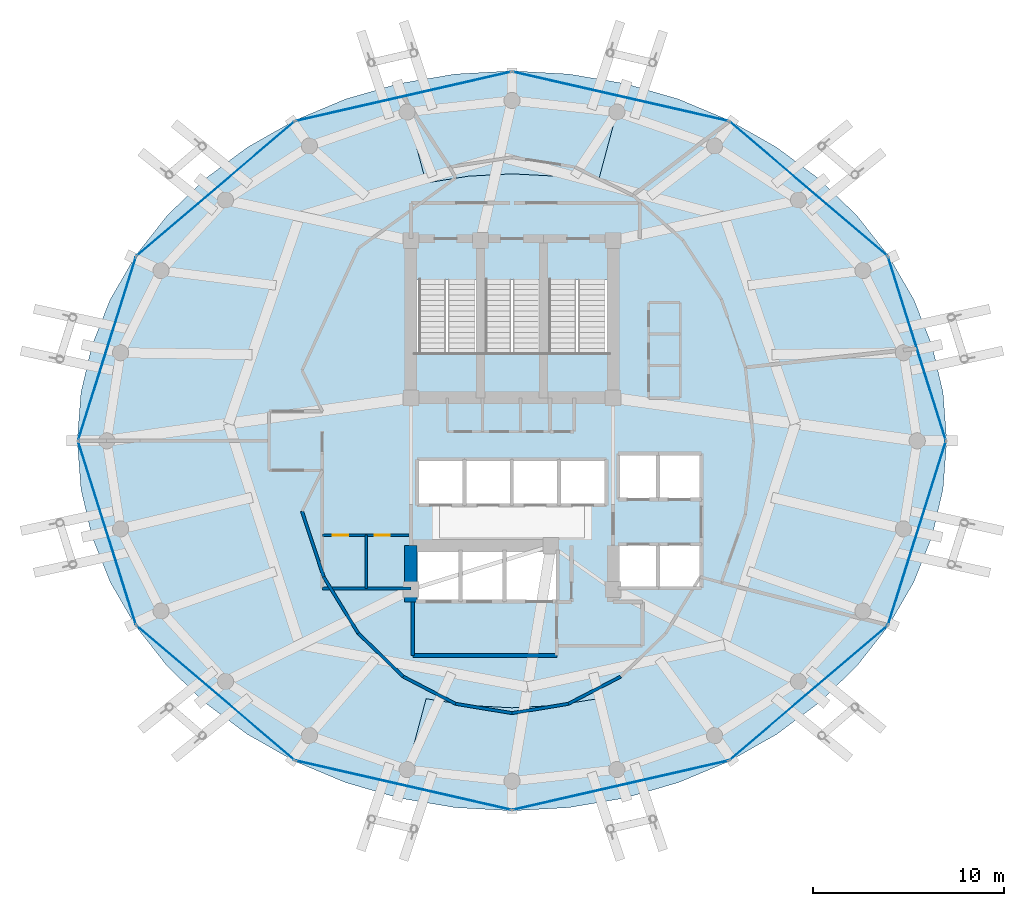
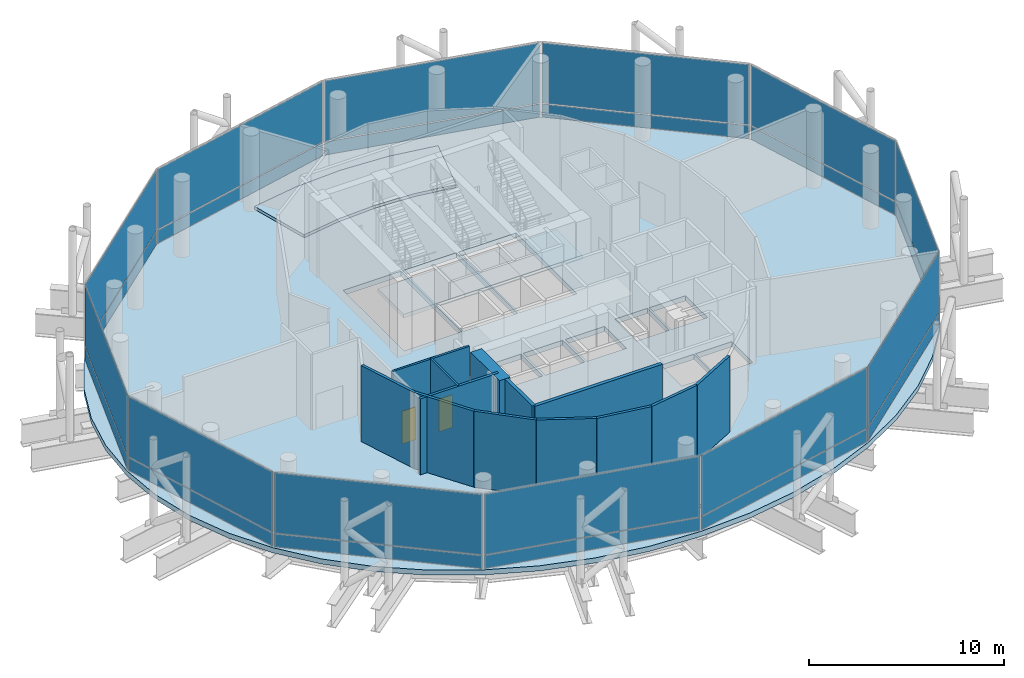
# One storey, part 23 of 31: 24 plates, 13 walls, 6 slabs, 2 doors, 2 openings, 15 elements without a shape of their own.
"""IFC4 building model written with IfcOpenShell, lengths in metres."""

from ifc_helpers import new_model, si_unit, direction, frame, frame_2d, origin, origin_2d, place, context, subcontext, project, spatial, polyline, rectangle, outline, extrude, material, layer, layer_set, type_object, element, fill, aggregate, save


model = new_model("IFC4")

# Units and contexts
model_context = context("Model", 3, precision=1e-05, world=origin(), true_north=direction((0.0, 1.0)))
body_context = subcontext(model_context, "Body", "Model", "MODEL_VIEW")
ifc_project = project(units=[si_unit("LENGTHUNIT", "METRE"), si_unit("AREAUNIT", "SQUARE_METRE"), si_unit("VOLUMEUNIT", "CUBIC_METRE"), si_unit("PLANEANGLEUNIT", "RADIAN"), si_unit("MASSUNIT", "GRAM", prefix="KILO")], contexts=[model_context])

# Site, building, storey
site_placement = place(None, origin())
site = spatial("IfcSite", under=ifc_project, at=site_placement, CompositionType="ELEMENT")
building_placement = place(site_placement, origin())
building = spatial("IfcBuilding", under=site, at=building_placement, Name="Nuhasar Tower", CompositionType="ELEMENT")
storey_placement = place(building_placement, frame((0.0, 0.0, 203.14990234375)))
storey = spatial("IfcBuildingStorey", under=building, at=storey_placement, Name="L49", CompositionType="ELEMENT", Elevation=203.14990234375)

# Curtain wall, plate
ifc_material_1 = material(Name="Aluminium 6063-T6", Category="aluminium")
ifc_layer_1 = layer(ifc_material_1, 0.239990234375)
ifc_layer_set_1 = layer_set([ifc_layer_1], Name="Aluminium 6063-T6")
curtain_wall_type = type_object("IfcCurtainWallType", Name="CW-SKY-LBY", PredefinedType="NOTDEFINED", material=ifc_layer_set_1)
curtain_wall_1_placement = place(storey_placement, origin())
curtain_wall_1 = element("IfcCurtainWall", 1, at=curtain_wall_1_placement, inside=storey, type_object=curtain_wall_type, Name="L49 Unitised Curtain Wall 01", PredefinedType="NOTDEFINED")
ifc_material_2 = material(Name="Glass Double Low-E", Category="glass")
ifc_layer_2 = layer(ifc_material_2, 0.028076171875)
ifc_layer_set_2 = layer_set([ifc_layer_2], Name="Glass Double Low-E")
plate_type_1 = type_object("IfcPlateType", Name="CW-PANEL-GLZ", PredefinedType="CURTAIN_PANEL", material=ifc_layer_set_2)
plate_1_placement = place(storey_placement, frame((60.235595703125, 31.639892578125, 0.93017578125), z_axis=(0.0, 0.0, 1.0), x_axis=(-0.30042864553, 0.95380429279, 0.0)))
plate_1 = element("IfcPlate", 2, at=plate_1_placement, type_object=plate_type_1, Name="CW-SL panel 1.2", PredefinedType="CURTAIN_PANEL", context=body_context, shape_type="SweptSolid", body=[
    extrude(rectangle(XDim=10.02880859375, YDim=0.028076171875, at=origin_2d()), origin(), (0.0, 0.0, 1.0), 3.77001953125),
])

curtain_wall_2_placement = place(storey_placement, origin())
curtain_wall_2 = element("IfcCurtainWall", 3, at=curtain_wall_2_placement, inside=storey, type_object=curtain_wall_type, Name="L49 Unitised Curtain Wall 02", PredefinedType="NOTDEFINED")
plate_2_placement = place(storey_placement, frame((54.54541015625, 40.02294921875, 0.93017578125), z_axis=(0.0, 0.0, 1.0), x_axis=(-0.761729472562, 0.64789521578, 0.0)))
plate_2 = element("IfcPlate", 4, at=plate_2_placement, type_object=plate_type_1, Name="CW-SL panel 1.2", PredefinedType="CURTAIN_PANEL", context=body_context, shape_type="SweptSolid", body=[
    extrude(rectangle(XDim=10.81689453125, YDim=0.028076171875, at=origin_2d()), origin(), (0.0, 0.0, 1.0), 3.77001953125),
])

curtain_wall_3_placement = place(storey_placement, origin())
curtain_wall_3 = element("IfcCurtainWall", 5, at=curtain_wall_3_placement, inside=storey, type_object=curtain_wall_type, Name="L49 Unitised Curtain Wall 03", PredefinedType="NOTDEFINED")
plate_3_placement = place(storey_placement, frame((44.68994140625, 44.863037109375, 0.93017578125), z_axis=(0.0, 0.0, 1.0), x_axis=(-0.974991266926, 0.222243176313, 0.0)))
plate_3 = element("IfcPlate", 6, at=plate_3_placement, type_object=plate_type_1, Name="CW-SL panel 1.2", PredefinedType="CURTAIN_PANEL", context=body_context, shape_type="SweptSolid", body=[
    extrude(rectangle(XDim=11.552001953125, YDim=0.028076171875, at=origin_2d()), origin(), (0.0, 0.0, 1.0), 3.77001953125),
])

curtain_wall_4_placement = place(storey_placement, origin())
curtain_wall_4 = element("IfcCurtainWall", 7, at=curtain_wall_4_placement, inside=storey, type_object=curtain_wall_type, Name="L49 Unitised Curtain Wall 04", PredefinedType="NOTDEFINED")
plate_4_placement = place(storey_placement, frame((33.31005859375, 44.863037109375, 0.93017578125), z_axis=(0.0, 0.0, 1.0), x_axis=(-0.974991266926, -0.222243176313, 0.0)))
plate_4 = element("IfcPlate", 8, at=plate_4_placement, type_object=plate_type_1, Name="CW-SL panel 1.2", PredefinedType="CURTAIN_PANEL", context=body_context, shape_type="SweptSolid", body=[
    extrude(rectangle(XDim=11.552001953125, YDim=0.028076171875, at=origin_2d()), origin(), (0.0, 0.0, 1.0), 3.77001953125),
])

curtain_wall_5_placement = place(storey_placement, origin())
curtain_wall_5 = element("IfcCurtainWall", 9, at=curtain_wall_5_placement, inside=storey, type_object=curtain_wall_type, Name="L49 Unitised Curtain Wall 05", PredefinedType="NOTDEFINED")
plate_5_placement = place(storey_placement, frame((23.45458984375, 40.02294921875, 0.93017578125), z_axis=(0.0, 0.0, 1.0), x_axis=(-0.761729472562, -0.64789521578, 0.0)))
plate_5 = element("IfcPlate", 10, at=plate_5_placement, type_object=plate_type_1, Name="CW-SL panel 1.2", PredefinedType="CURTAIN_PANEL", context=body_context, shape_type="SweptSolid", body=[
    extrude(rectangle(XDim=10.81689453125, YDim=0.028076171875, at=origin_2d()), origin(), (0.0, 0.0, 1.0), 3.77001953125),
])

curtain_wall_6_placement = place(storey_placement, origin())
curtain_wall_6 = element("IfcCurtainWall", 11, at=curtain_wall_6_placement, inside=storey, type_object=curtain_wall_type, Name="L49 Unitised Curtain Wall 06", PredefinedType="NOTDEFINED")
plate_6_placement = place(storey_placement, frame((17.764404296875, 31.639892578125, 0.93017578125), z_axis=(0.0, 0.0, 1.0), x_axis=(-0.30042864553, -0.95380429279, 0.0)))
plate_6 = element("IfcPlate", 12, at=plate_6_placement, type_object=plate_type_1, Name="CW-SL panel 1.2", PredefinedType="CURTAIN_PANEL", context=body_context, shape_type="SweptSolid", body=[
    extrude(rectangle(XDim=10.02880859375, YDim=0.028076171875, at=origin_2d()), origin(), (0.0, 0.0, 1.0), 3.77001953125),
])

curtain_wall_7_placement = place(storey_placement, origin())
curtain_wall_7 = element("IfcCurtainWall", 13, at=curtain_wall_7_placement, inside=storey, type_object=curtain_wall_type, Name="L49 Unitised Curtain Wall 07", PredefinedType="NOTDEFINED")
plate_7_placement = place(storey_placement, frame((17.764404296875, 21.9599609375, 0.93017578125), z_axis=(0.0, 0.0, 1.0), x_axis=(0.30042864553, -0.95380429279, 0.0)))
plate_7 = element("IfcPlate", 14, at=plate_7_placement, type_object=plate_type_1, Name="CW-SL panel 1.2", PredefinedType="CURTAIN_PANEL", context=body_context, shape_type="SweptSolid", body=[
    extrude(rectangle(XDim=10.02880859375, YDim=0.028076171875, at=origin_2d()), origin(), (0.0, 0.0, 1.0), 3.77001953125),
])

curtain_wall_8_placement = place(storey_placement, origin())
curtain_wall_8 = element("IfcCurtainWall", 15, at=curtain_wall_8_placement, inside=storey, type_object=curtain_wall_type, Name="L49 Unitised Curtain Wall 08", PredefinedType="NOTDEFINED")
plate_8_placement = place(storey_placement, frame((23.45458984375, 13.576904296875, 0.93017578125), z_axis=(0.0, 0.0, 1.0), x_axis=(0.761729472562, -0.64789521578, 0.0)))
plate_8 = element("IfcPlate", 16, at=plate_8_placement, type_object=plate_type_1, Name="CW-SL panel 1.2", PredefinedType="CURTAIN_PANEL", context=body_context, shape_type="SweptSolid", body=[
    extrude(rectangle(XDim=10.81689453125, YDim=0.028076171875, at=origin_2d()), origin(), (0.0, 0.0, 1.0), 3.77001953125),
])

curtain_wall_9_placement = place(storey_placement, origin())
curtain_wall_9 = element("IfcCurtainWall", 17, at=curtain_wall_9_placement, inside=storey, type_object=curtain_wall_type, Name="L49 Unitised Curtain Wall 09", PredefinedType="NOTDEFINED")
plate_9_placement = place(storey_placement, frame((33.31005859375, 8.737060546875, 0.93017578125), z_axis=(0.0, 0.0, 1.0), x_axis=(0.974991266926, -0.222243176313, 0.0)))
plate_9 = element("IfcPlate", 18, at=plate_9_placement, type_object=plate_type_1, Name="CW-SL panel 1.2", PredefinedType="CURTAIN_PANEL", context=body_context, shape_type="SweptSolid", body=[
    extrude(rectangle(XDim=11.552001953125, YDim=0.028076171875, at=origin_2d()), origin(), (0.0, 0.0, 1.0), 3.77001953125),
])

curtain_wall_10_placement = place(storey_placement, origin())
curtain_wall_10 = element("IfcCurtainWall", 19, at=curtain_wall_10_placement, inside=storey, type_object=curtain_wall_type, Name="L49 Unitised Curtain Wall 10", PredefinedType="NOTDEFINED")
plate_10_placement = place(storey_placement, frame((44.68994140625, 8.737060546875, 0.93017578125), z_axis=(0.0, 0.0, 1.0), x_axis=(0.974991266926, 0.222243176313, 0.0)))
plate_10 = element("IfcPlate", 20, at=plate_10_placement, type_object=plate_type_1, Name="CW-SL panel 1.2", PredefinedType="CURTAIN_PANEL", context=body_context, shape_type="SweptSolid", body=[
    extrude(rectangle(XDim=11.552001953125, YDim=0.028076171875, at=origin_2d()), origin(), (0.0, 0.0, 1.0), 3.77001953125),
])

curtain_wall_11_placement = place(storey_placement, origin())
curtain_wall_11 = element("IfcCurtainWall", 21, at=curtain_wall_11_placement, inside=storey, type_object=curtain_wall_type, Name="L49 Unitised Curtain Wall 11", PredefinedType="NOTDEFINED")
plate_11_placement = place(storey_placement, frame((54.54541015625, 13.576904296875, 0.93017578125), z_axis=(0.0, 0.0, 1.0), x_axis=(0.761729472562, 0.64789521578, 0.0)))
plate_11 = element("IfcPlate", 22, at=plate_11_placement, type_object=plate_type_1, Name="CW-SL panel 1.2", PredefinedType="CURTAIN_PANEL", context=body_context, shape_type="SweptSolid", body=[
    extrude(rectangle(XDim=10.81689453125, YDim=0.028076171875, at=origin_2d()), origin(), (0.0, 0.0, 1.0), 3.77001953125),
])

curtain_wall_12_placement = place(storey_placement, origin())
curtain_wall_12 = element("IfcCurtainWall", 23, at=curtain_wall_12_placement, inside=storey, type_object=curtain_wall_type, Name="L49 Unitised Curtain Wall 12", PredefinedType="NOTDEFINED")
plate_12_placement = place(storey_placement, frame((60.235595703125, 21.9599609375, 0.93017578125), z_axis=(0.0, 0.0, 1.0), x_axis=(0.30042864553, 0.95380429279, 0.0)))
plate_12 = element("IfcPlate", 24, at=plate_12_placement, type_object=plate_type_1, Name="CW-SL panel 1.2", PredefinedType="CURTAIN_PANEL", context=body_context, shape_type="SweptSolid", body=[
    extrude(rectangle(XDim=10.02880859375, YDim=0.028076171875, at=origin_2d()), origin(), (0.0, 0.0, 1.0), 3.77001953125),
])

# Plate
ifc_material_3 = material(Name="Glass Spandrel", Category="glass")
ifc_layer_3 = layer(ifc_material_3, 0.035888671875)
ifc_layer_set_3 = layer_set([ifc_layer_3], Name="Glass Spandrel")
plate_type_2 = type_object("IfcPlateType", Name="CW-PANEL-SPN", PredefinedType="CURTAIN_PANEL", material=ifc_layer_set_3)
plate_13_placement = place(storey_placement, frame((60.235595703125, 31.639892578125, 0.06005859375), z_axis=(0.0, 0.0, 1.0), x_axis=(-0.30042864553, 0.95380429279, 0.0)))
plate_13 = element("IfcPlate", 25, at=plate_13_placement, type_object=plate_type_2, Name="CW-SL panel 1.1", PredefinedType="CURTAIN_PANEL", context=body_context, shape_type="SweptSolid", body=[
    extrude(rectangle(XDim=10.02880859375, YDim=0.035888671875, at=origin_2d()), origin(), (0.0, 0.0, 1.0), 0.81005859375),
])

aggregate(curtain_wall_1, [plate_13, plate_1])

plate_14_placement = place(storey_placement, frame((54.54541015625, 40.02294921875, 0.06005859375), z_axis=(0.0, 0.0, 1.0), x_axis=(-0.761729472562, 0.64789521578, 0.0)))
plate_14 = element("IfcPlate", 26, at=plate_14_placement, type_object=plate_type_2, Name="CW-SL panel 1.1", PredefinedType="CURTAIN_PANEL", context=body_context, shape_type="SweptSolid", body=[
    extrude(rectangle(XDim=10.81689453125, YDim=0.035888671875, at=origin_2d()), origin(), (0.0, 0.0, 1.0), 0.81005859375),
])

aggregate(curtain_wall_2, [plate_14, plate_2])

plate_15_placement = place(storey_placement, frame((44.68994140625, 44.863037109375, 0.06005859375), z_axis=(0.0, 0.0, 1.0), x_axis=(-0.974991266926, 0.222243176313, 0.0)))
plate_15 = element("IfcPlate", 27, at=plate_15_placement, type_object=plate_type_2, Name="CW-SL panel 1.1", PredefinedType="CURTAIN_PANEL", context=body_context, shape_type="SweptSolid", body=[
    extrude(rectangle(XDim=11.552001953125, YDim=0.035888671875, at=origin_2d()), origin(), (0.0, 0.0, 1.0), 0.81005859375),
])

aggregate(curtain_wall_3, [plate_15, plate_3])

plate_16_placement = place(storey_placement, frame((33.31005859375, 44.863037109375, 0.06005859375), z_axis=(0.0, 0.0, 1.0), x_axis=(-0.974991266926, -0.222243176313, 0.0)))
plate_16 = element("IfcPlate", 28, at=plate_16_placement, type_object=plate_type_2, Name="CW-SL panel 1.1", PredefinedType="CURTAIN_PANEL", context=body_context, shape_type="SweptSolid", body=[
    extrude(rectangle(XDim=11.552001953125, YDim=0.035888671875, at=origin_2d()), origin(), (0.0, 0.0, 1.0), 0.81005859375),
])

aggregate(curtain_wall_4, [plate_16, plate_4])

plate_17_placement = place(storey_placement, frame((23.45458984375, 40.02294921875, 0.06005859375), z_axis=(0.0, 0.0, 1.0), x_axis=(-0.761729472562, -0.64789521578, 0.0)))
plate_17 = element("IfcPlate", 29, at=plate_17_placement, type_object=plate_type_2, Name="CW-SL panel 1.1", PredefinedType="CURTAIN_PANEL", context=body_context, shape_type="SweptSolid", body=[
    extrude(rectangle(XDim=10.81689453125, YDim=0.035888671875, at=origin_2d()), origin(), (0.0, 0.0, 1.0), 0.81005859375),
])

aggregate(curtain_wall_5, [plate_17, plate_5])

plate_18_placement = place(storey_placement, frame((17.764404296875, 31.639892578125, 0.06005859375), z_axis=(0.0, 0.0, 1.0), x_axis=(-0.30042864553, -0.95380429279, 0.0)))
plate_18 = element("IfcPlate", 30, at=plate_18_placement, type_object=plate_type_2, Name="CW-SL panel 1.1", PredefinedType="CURTAIN_PANEL", context=body_context, shape_type="SweptSolid", body=[
    extrude(rectangle(XDim=10.02880859375, YDim=0.035888671875, at=origin_2d()), origin(), (0.0, 0.0, 1.0), 0.81005859375),
])

aggregate(curtain_wall_6, [plate_18, plate_6])

plate_19_placement = place(storey_placement, frame((17.764404296875, 21.9599609375, 0.06005859375), z_axis=(0.0, 0.0, 1.0), x_axis=(0.30042864553, -0.95380429279, 0.0)))
plate_19 = element("IfcPlate", 31, at=plate_19_placement, type_object=plate_type_2, Name="CW-SL panel 1.1", PredefinedType="CURTAIN_PANEL", context=body_context, shape_type="SweptSolid", body=[
    extrude(rectangle(XDim=10.02880859375, YDim=0.035888671875, at=origin_2d()), origin(), (0.0, 0.0, 1.0), 0.81005859375),
])

aggregate(curtain_wall_7, [plate_19, plate_7])

plate_20_placement = place(storey_placement, frame((23.45458984375, 13.576904296875, 0.06005859375), z_axis=(0.0, 0.0, 1.0), x_axis=(0.761729472562, -0.64789521578, 0.0)))
plate_20 = element("IfcPlate", 32, at=plate_20_placement, type_object=plate_type_2, Name="CW-SL panel 1.1", PredefinedType="CURTAIN_PANEL", context=body_context, shape_type="SweptSolid", body=[
    extrude(rectangle(XDim=10.81689453125, YDim=0.035888671875, at=origin_2d()), origin(), (0.0, 0.0, 1.0), 0.81005859375),
])

aggregate(curtain_wall_8, [plate_20, plate_8])

plate_21_placement = place(storey_placement, frame((33.31005859375, 8.737060546875, 0.06005859375), z_axis=(0.0, 0.0, 1.0), x_axis=(0.974991266926, -0.222243176313, 0.0)))
plate_21 = element("IfcPlate", 33, at=plate_21_placement, type_object=plate_type_2, Name="CW-SL panel 1.1", PredefinedType="CURTAIN_PANEL", context=body_context, shape_type="SweptSolid", body=[
    extrude(rectangle(XDim=11.552001953125, YDim=0.035888671875, at=origin_2d()), origin(), (0.0, 0.0, 1.0), 0.81005859375),
])

aggregate(curtain_wall_9, [plate_21, plate_9])

plate_22_placement = place(storey_placement, frame((44.68994140625, 8.737060546875, 0.06005859375), z_axis=(0.0, 0.0, 1.0), x_axis=(0.974991266926, 0.222243176313, 0.0)))
plate_22 = element("IfcPlate", 34, at=plate_22_placement, type_object=plate_type_2, Name="CW-SL panel 1.1", PredefinedType="CURTAIN_PANEL", context=body_context, shape_type="SweptSolid", body=[
    extrude(rectangle(XDim=11.552001953125, YDim=0.035888671875, at=origin_2d()), origin(), (0.0, 0.0, 1.0), 0.81005859375),
])

aggregate(curtain_wall_10, [plate_22, plate_10])

plate_23_placement = place(storey_placement, frame((54.54541015625, 13.576904296875, 0.06005859375), z_axis=(0.0, 0.0, 1.0), x_axis=(0.761729472562, 0.64789521578, 0.0)))
plate_23 = element("IfcPlate", 35, at=plate_23_placement, type_object=plate_type_2, Name="CW-SL panel 1.1", PredefinedType="CURTAIN_PANEL", context=body_context, shape_type="SweptSolid", body=[
    extrude(rectangle(XDim=10.81689453125, YDim=0.035888671875, at=origin_2d()), origin(), (0.0, 0.0, 1.0), 0.81005859375),
])

aggregate(curtain_wall_11, [plate_23, plate_11])

plate_24_placement = place(storey_placement, frame((60.235595703125, 21.9599609375, 0.06005859375), z_axis=(0.0, 0.0, 1.0), x_axis=(0.30042864553, 0.95380429279, 0.0)))
plate_24 = element("IfcPlate", 36, at=plate_24_placement, type_object=plate_type_2, Name="CW-SL panel 1.1", PredefinedType="CURTAIN_PANEL", context=body_context, shape_type="SweptSolid", body=[
    extrude(rectangle(XDim=10.02880859375, YDim=0.035888671875, at=origin_2d()), origin(), (0.0, 0.0, 1.0), 0.81005859375),
])

aggregate(curtain_wall_12, [plate_24, plate_12])

# Slabs
ifc_material_4 = material(Name="Concrete C50/60", Category="concrete")
ifc_layer_4 = layer(ifc_material_4, 0.199951171875)
ifc_layer_set_4 = layer_set([ifc_layer_4], Name="Concrete C50/60")
slab_type_1 = type_object("IfcSlabType", Name="SLB-PLN-200", PredefinedType="BASESLAB", material=ifc_layer_set_4)
slab_1_placement = place(storey_placement, origin())
element("IfcSlab", 37, at=slab_1_placement, inside=storey, type_object=slab_type_1, Name="L49 Viewing Feature Dais Slab North", PredefinedType="BASESLAB", context=body_context, shape_type="SweptSolid", body=[
    extrude(outline(polyline([(44.43505859375, 43.800048828125), (41.740966796875, 44.2490234375), (39.0, 44.39990234375), (36.259033203125, 44.2490234375), (33.56494140625, 43.800048828125), (34.4970703125, 40.322998046875), (36.72900390625, 40.679931640625), (39.0, 40.800048828125), (41.27099609375, 40.679931640625), (43.5029296875, 40.322998046875), (44.43505859375, 43.800048828125)])), origin(), (0.0, 0.0, 1.0), 0.18017578125),
])
slab_2_placement = place(storey_placement, origin())
element("IfcSlab", 38, at=slab_2_placement, inside=storey, type_object=slab_type_1, Name="L49 Viewing Feature Dais Slab South", PredefinedType="BASESLAB", context=body_context, shape_type="SweptSolid", body=[
    extrude(outline(polyline([(33.56494140625, 9.800048828125), (36.259033203125, 9.35107421875), (39.0, 9.199951171875), (41.740966796875, 9.35107421875), (44.43505859375, 9.800048828125), (43.5029296875, 13.277099609375), (41.27099609375, 12.919921875), (39.0, 12.800048828125), (36.72900390625, 12.919921875), (34.4970703125, 13.277099609375), (33.56494140625, 9.800048828125)])), origin(), (0.0, 0.0, 1.0), 0.18017578125),
])
ifc_layer_5 = layer(ifc_material_4, 0.320068359375)
ifc_layer_set_5 = layer_set([ifc_layer_5], Name="Concrete C50/60")
slab_type_2 = type_object("IfcSlabType", Name="SLB-POD-320", PredefinedType="FLOOR", material=ifc_layer_set_5)
slab_3_placement = place(storey_placement, frame((0.0, 0.0, -0.31982421875)))
element("IfcSlab", 39, at=slab_3_placement, inside=storey, type_object=slab_type_2, Name="L49 Structural Slab", PredefinedType="FLOOR", context=body_context, shape_type="SweptSolid", body=[
    extrude(outline(polyline([(61.800048828125, 26.800048828125), (61.60498046875, 29.33203125), (61.02294921875, 31.821044921875), (60.06396484375, 34.22412109375), (58.7451171875, 36.5), (57.087890625, 38.610107421875), (55.1220703125, 40.51806640625), (52.8798828125, 42.19091796875), (50.39990234375, 43.60107421875), (47.72509765625, 44.722900390625), (44.90087890625, 45.5390625), (41.97607421875, 46.033935546875), (39.0, 46.199951171875), (36.02392578125, 46.033935546875), (33.09912109375, 45.5390625), (30.27490234375, 44.722900390625), (27.60009765625, 43.60107421875), (25.1201171875, 42.19091796875), (22.8779296875, 40.51806640625), (20.912109375, 38.610107421875), (19.2548828125, 36.5), (17.93603515625, 34.22412109375), (16.97705078125, 31.821044921875), (16.39501953125, 29.33203125), (16.199951171875, 26.800048828125), (16.39501953125, 24.26806640625), (16.97705078125, 21.779052734375), (17.93603515625, 19.3759765625), (19.2548828125, 17.10009765625), (20.912109375, 14.989990234375), (22.8779296875, 13.08203125), (25.1201171875, 11.408935546875), (27.60009765625, 9.9990234375), (30.27490234375, 8.876953125), (33.09912109375, 8.06103515625), (36.02392578125, 7.56591796875), (39.0, 7.39990234375), (41.97607421875, 7.56591796875), (44.90087890625, 8.06103515625), (47.72509765625, 8.876953125), (50.39990234375, 9.9990234375), (52.8798828125, 11.408935546875), (55.1220703125, 13.08203125), (57.087890625, 14.989990234375), (58.7451171875, 17.10009765625), (60.06396484375, 19.3759765625), (61.02294921875, 21.779052734375), (61.60498046875, 24.26806640625), (61.800048828125, 26.800048828125)]), holes=[polyline([(33.8798828125, 35.25), (37.300048828125, 35.25), (37.300048828125, 29.0), (33.8798828125, 29.0), (33.8798828125, 35.25)]), polyline([(37.39990234375, 35.25), (40.60009765625, 35.25), (40.60009765625, 29.0), (37.39990234375, 29.0), (37.39990234375, 35.25)]), polyline([(40.699951171875, 35.25), (44.1201171875, 35.25), (44.1201171875, 29.0), (40.699951171875, 29.0), (40.699951171875, 35.25)]), polyline([(44.64990234375, 26.050048828125), (46.60009765625, 26.050048828125), (46.60009765625, 23.800048828125), (44.64990234375, 23.800048828125), (44.64990234375, 26.050048828125)]), polyline([(46.699951171875, 26.050048828125), (48.85009765625, 26.050048828125), (48.85009765625, 23.800048828125), (46.699951171875, 23.800048828125), (46.699951171875, 26.050048828125)]), polyline([(44.64990234375, 21.300048828125), (46.60009765625, 21.300048828125), (46.60009765625, 19.14990234375), (44.64990234375, 19.14990234375), (44.64990234375, 21.300048828125)]), polyline([(46.699951171875, 21.300048828125), (48.85009765625, 21.300048828125), (48.85009765625, 19.14990234375), (46.699951171875, 19.14990234375), (46.699951171875, 21.300048828125)]), polyline([(34.10009765625, 25.75), (36.43994140625, 25.75), (36.43994140625, 23.5), (34.10009765625, 23.5), (34.10009765625, 25.75)]), polyline([(36.580078125, 25.75), (38.919921875, 25.75), (38.919921875, 23.5), (36.580078125, 23.5), (36.580078125, 25.75)]), polyline([(39.06005859375, 25.75), (41.39990234375, 25.75), (41.39990234375, 23.5), (39.06005859375, 23.5), (39.06005859375, 25.75)]), polyline([(41.5400390625, 25.75), (43.8798828125, 25.75), (43.8798828125, 23.5), (41.5400390625, 23.5), (41.5400390625, 25.75)]), polyline([(34.050048828125, 21.0), (36.25, 21.0), (36.25, 18.449951171875), (34.050048828125, 18.449951171875), (34.050048828125, 21.0)]), polyline([(36.35009765625, 21.0), (38.550048828125, 21.0), (38.550048828125, 18.449951171875), (36.35009765625, 18.449951171875), (36.35009765625, 21.0)]), polyline([(38.64990234375, 21.0), (41.320068359375, 21.0), (41.320068359375, 18.449951171875), (38.64990234375, 18.449951171875), (38.64990234375, 21.0)])]), origin(), (0.0, 0.0, 1.0), 0.31982421875),
])

# Stair, slab
ifc_material_5 = material(Name="Concrete C45/55", Category="concrete")
stair_type_1 = type_object("IfcStairType", Name="STR-ST-01-2F-30R-1667", PredefinedType="HALF_TURN_STAIR", material=ifc_material_5)
stair_1_placement = place(storey_placement, origin())
stair_1 = element("IfcStair", 40, at=stair_1_placement, inside=storey, type_object=stair_type_1, Name="L49 Exit Stair ST-01", PredefinedType="HALF_TURN_STAIR")
ifc_layer_6 = layer(ifc_material_5, 0.239990234375)
ifc_layer_set_6 = layer_set([ifc_layer_6], Name="Concrete C45/55")
slab_type_3 = type_object("IfcSlabType", Name="SLB-STAIR-LND-240", PredefinedType="LANDING", material=ifc_layer_set_6)
slab_4_placement = place(storey_placement, frame((0.0, 0.0, 2.260009765625)))
slab_4 = element("IfcSlab", 41, at=slab_4_placement, type_object=slab_type_3, Name="ST-01 landing 1", PredefinedType="LANDING", context=body_context, shape_type="SweptSolid", body=[
    extrude(outline(polyline([(33.699951171875, 28.75), (37.35009765625, 28.75), (37.35009765625, 31.39990234375), (33.699951171875, 31.39990234375), (33.699951171875, 28.75)])), origin(), (0.0, 0.0, 1.0), 0.239990234375),
])
aggregate(stair_1, [slab_4])

stair_type_2 = type_object("IfcStairType", Name="STR-ST-03-2F-30R-1667", PredefinedType="HALF_TURN_STAIR", material=ifc_material_5)
stair_2_placement = place(storey_placement, origin())
stair_2 = element("IfcStair", 42, at=stair_2_placement, inside=storey, type_object=stair_type_2, Name="L49 Exit Stair ST-03", PredefinedType="HALF_TURN_STAIR")
slab_5_placement = place(storey_placement, frame((0.0, 0.0, 2.260009765625)))
slab_5 = element("IfcSlab", 43, at=slab_5_placement, type_object=slab_type_3, Name="ST-03 landing 1", PredefinedType="LANDING", context=body_context, shape_type="SweptSolid", body=[
    extrude(outline(polyline([(37.35009765625, 28.75), (40.64990234375, 28.75), (40.64990234375, 31.39990234375), (37.35009765625, 31.39990234375), (37.35009765625, 28.75)])), origin(), (0.0, 0.0, 1.0), 0.239990234375),
])
aggregate(stair_2, [slab_5])

stair_type_3 = type_object("IfcStairType", Name="STR-ST-02-2F-30R-1667", PredefinedType="HALF_TURN_STAIR", material=ifc_material_5)
stair_3_placement = place(storey_placement, origin())
stair_3 = element("IfcStair", 44, at=stair_3_placement, inside=storey, type_object=stair_type_3, Name="L49 Exit Stair ST-02", PredefinedType="HALF_TURN_STAIR")
slab_6_placement = place(storey_placement, frame((0.0, 0.0, 2.260009765625)))
slab_6 = element("IfcSlab", 45, at=slab_6_placement, type_object=slab_type_3, Name="ST-02 landing 1", PredefinedType="LANDING", context=body_context, shape_type="SweptSolid", body=[
    extrude(outline(polyline([(40.64990234375, 28.75), (44.300048828125, 28.75), (44.300048828125, 31.39990234375), (40.64990234375, 31.39990234375), (40.64990234375, 28.75)])), origin(), (0.0, 0.0, 1.0), 0.239990234375),
])
aggregate(stair_3, [slab_6])

# Walls
ifc_material_6 = material(Name="Concrete C65/80", Category="concrete")
ifc_layer_7 = layer(ifc_material_6, 0.64990234375)
ifc_layer_set_7 = layer_set([ifc_layer_7], Name="Concrete C65/80")
wall_type_1 = type_object("IfcWallType", Name="WL-CORE-650", PredefinedType="SHEAR", material=ifc_layer_set_7)
wall_1_placement = place(storey_placement, frame((33.699951171875, 18.35009765625, 0.0), z_axis=(0.0, 0.0, 1.0), x_axis=(0.0, 1.0, 0.0)))
element("IfcWall", 46, at=wall_1_placement, inside=storey, type_object=wall_type_1, Name="L49 Core Shear Wall CW-SW CW-650", PredefinedType="SHEAR", context=body_context, shape_type="SweptSolid", body=[
    extrude(rectangle(XDim=2.949951171875, YDim=0.64990234375, at=frame_2d((1.47509765625, 0.0))), origin(), (0.0, 0.0, 1.0), 4.760009765625),
])
ifc_material_7 = material(Name="Gypsum Board", Category="gypsum")
ifc_layer_8 = layer(ifc_material_7, 0.159912109375)
ifc_layer_set_8 = layer_set([ifc_layer_8], Name="Gypsum Board")
wall_type_2 = type_object("IfcWallType", Name="WL-CORR-160", PredefinedType="PARTITIONING", material=ifc_layer_set_8)
wall_2_placement = place(storey_placement, frame((29.050048828125, 19.050048828125, 0.0), z_axis=(0.0, 0.0, 1.0), x_axis=(1.0, 0.0, 0.0)))
element("IfcWall", 47, at=wall_2_placement, inside=storey, type_object=wall_type_2, Name="L49 Interior Partition RECL-B1-S", PredefinedType="PARTITIONING", context=body_context, shape_type="SweptSolid", body=[
    extrude(rectangle(XDim=4.64990234375, YDim=0.159912109375, at=frame_2d((2.324951171875, 0.0))), origin(), (0.0, 0.0, 1.0), 4.760009765625),
])
wall_3_placement = place(storey_placement, frame((27.988037109375, 23.10400390625, 0.0), z_axis=(0.0, 0.0, 1.0), x_axis=(0.313965508334, -0.949434389295, 0.0)))
element("IfcWall", 48, at=wall_3_placement, inside=storey, type_object=wall_type_2, Name="L49 Interior Partition SWEST-CORE-S-26", PredefinedType="PARTITIONING", context=body_context, shape_type="SweptSolid", body=[
    extrude(rectangle(XDim=3.62744140625, YDim=0.159912109375, at=frame_2d((1.813720703125, 0.0))), origin(), (0.0, 0.0, 1.0), 4.760009765625),
])
wall_4_placement = place(storey_placement, frame((29.126953125, 19.659912109375, 0.0), z_axis=(0.0, 0.0, 1.0), x_axis=(0.522486120877, -0.852647789823, 0.0)))
element("IfcWall", 49, at=wall_4_placement, inside=storey, type_object=wall_type_2, Name="L49 Interior Partition SWEST-CORE-S-28", PredefinedType="PARTITIONING", context=body_context, shape_type="SweptSolid", body=[
    extrude(rectangle(XDim=3.468017578125, YDim=0.159912109375, at=frame_2d((1.73388671875, 0.0))), origin(), (0.0, 0.0, 1.0), 4.760009765625),
])
wall_5_placement = place(storey_placement, frame((30.93896484375, 16.702880859375, 0.0), z_axis=(0.0, 0.0, 1.0), x_axis=(0.72090897908, -0.693029756851, 0.0)))
element("IfcWall", 50, at=wall_5_placement, inside=storey, type_object=wall_type_2, Name="L49 Interior Partition SWEST-CORE-S-30", PredefinedType="PARTITIONING", context=body_context, shape_type="SweptSolid", body=[
    extrude(rectangle(XDim=3.275146484375, YDim=0.159912109375, at=frame_2d((1.6376953125, 0.0))), origin(), (0.0, 0.0, 1.0), 4.760009765625),
])
wall_6_placement = place(storey_placement, frame((33.300048828125, 14.43310546875, 0.0), z_axis=(0.0, 0.0, 1.0), x_axis=(0.887674575788, -0.460471331898, 0.0)))
element("IfcWall", 51, at=wall_6_placement, inside=storey, type_object=wall_type_2, Name="L49 Interior Partition SWEST-CORE-S-32", PredefinedType="PARTITIONING", context=body_context, shape_type="SweptSolid", body=[
    extrude(rectangle(XDim=3.096923828125, YDim=0.159912109375, at=frame_2d((1.54833984375, 0.0))), origin(), (0.0, 0.0, 1.0), 4.760009765625),
])
for number, where, z_axis, x_axis, name in (
    (52, (36.049072265625, 13.007080078125, 0.0), (0.0, 0.0, 1.0), (0.986650832406, -0.162850038111, 0.0), "L49 Interior Partition SWEST-CORE-S-34"),
    (53, (39.0, 12.52001953125, 0.0), (0.0, 0.0, 1.0), (0.986650832406, 0.162850038111, 0.0), "L49 Interior Partition SWEST-CORE-S-36"),
):
    element("IfcWall", number, at=place(storey_placement, frame(where, z_axis=z_axis, x_axis=x_axis)), inside=storey, type_object=wall_type_2, Name=name, PredefinedType="PARTITIONING", context=body_context, shape_type="SweptSolid", body=[
        extrude(rectangle(XDim=2.990966796875, YDim=0.159912109375, at=frame_2d((1.49560546875, 0.0))), origin(), (0.0, 0.0, 1.0), 4.760009765625),
    ])
wall_7_placement = place(storey_placement, frame((41.950927734375, 13.007080078125, 0.0), z_axis=(0.0, 0.0, 1.0), x_axis=(0.887674575788, 0.460471331898, 0.0)))
element("IfcWall", 54, at=wall_7_placement, inside=storey, type_object=wall_type_2, Name="L49 Interior Partition SWEST-CORE-S-38", PredefinedType="PARTITIONING", context=body_context, shape_type="SweptSolid", body=[
    extrude(rectangle(XDim=3.096923828125, YDim=0.159912109375, at=frame_2d((1.54833984375, 0.0))), origin(), (0.0, 0.0, 1.0), 4.760009765625),
])
ifc_layer_9 = layer(ifc_material_5, 0.199951171875)
ifc_layer_set_9 = layer_set([ifc_layer_9], Name="Concrete C45/55")
wall_type_3 = type_object("IfcWallType", Name="WL-LOBBY-200", PredefinedType="SOLIDWALL", material=ifc_layer_set_9)
wall_8_placement = place(storey_placement, frame((33.800048828125, 15.550048828125, 0.0), z_axis=(0.0, 0.0, 1.0), x_axis=(1.0, 0.0, 0.0)))
element("IfcWall", 55, at=wall_8_placement, inside=storey, type_object=wall_type_3, Name="L49 Interior Partition FFL-S", PredefinedType="SOLIDWALL", context=body_context, shape_type="SweptSolid", body=[
    extrude(rectangle(XDim=7.550048828125, YDim=0.199951171875, at=frame_2d((3.77490234375, 0.0))), origin(), (0.0, 0.0, 1.0), 4.760009765625),
])
wall_9_placement = place(storey_placement, frame((33.800048828125, 15.550048828125, 0.0), z_axis=(0.0, 0.0, 1.0), x_axis=(0.0, 1.0, 0.0)))
element("IfcWall", 56, at=wall_9_placement, inside=storey, type_object=wall_type_3, Name="L49 Interior Partition FFL-W", PredefinedType="SOLIDWALL", context=body_context, shape_type="SweptSolid", body=[
    extrude(rectangle(XDim=2.800048828125, YDim=0.199951171875, at=frame_2d((1.39990234375, 0.0))), origin(), (0.0, 0.0, 1.0), 4.760009765625),
])

# Wall, openings, doors
ifc_layer_10 = layer(ifc_material_7, 0.125)
ifc_layer_set_10 = layer_set([ifc_layer_10], Name="Gypsum Board")
wall_type_4 = type_object("IfcWallType", Name="WL-PART-125", PredefinedType="PARTITIONING", material=ifc_layer_set_10)
wall_10_placement = place(storey_placement, frame((33.60009765625, 21.85009765625, 0.0), z_axis=(0.0, 0.0, 1.0), x_axis=(-1.0, 0.0, 0.0)))
wall_10 = element("IfcWall", 57, at=wall_10_placement, inside=storey, type_object=wall_type_4, Name="L49 Interior Partition HKPK1-N", PredefinedType="PARTITIONING", context=body_context, shape_type="SweptSolid", body=[
    extrude(rectangle(XDim=4.550048828125, YDim=0.125, at=frame_2d((2.27490234375, 0.0))), origin(), (0.0, 0.0, 1.0), 4.760009765625),
])
opening_1_placement = place(wall_10_placement, frame((3.199951171875, 0.0, 0.0)))
opening_1 = element("IfcOpeningElement", 58, at=opening_1_placement, cuts=wall_10, Name="Opening DM-01", PredefinedType="OPENING", context=body_context, shape_type="SweptSolid", body=[
    extrude(rectangle(XDim=0.800048828125, YDim=2.050048828125, at=frame_2d((0.39990234375, 1.02490234375))), frame((0.0, 0.072509765625, 0.0), z_axis=(0.0, -1.0, 0.0), x_axis=(1.0, 0.0, 0.0)), (0.0, 0.0, 1.0), 0.14501953125),
])
opening_2_placement = place(wall_10_placement, frame((1.0, 0.0, 0.0)))
opening_2 = element("IfcOpeningElement", 59, at=opening_2_placement, cuts=wall_10, Name="Opening DM-01", PredefinedType="OPENING", context=body_context, shape_type="SweptSolid", body=[
    extrude(rectangle(XDim=0.800048828125, YDim=2.050048828125, at=frame_2d((0.39990234375, 1.02490234375))), frame((0.0, 0.072509765625, 0.0), z_axis=(0.0, -1.0, 0.0), x_axis=(1.0, 0.0, 0.0)), (0.0, 0.0, 1.0), 0.14501953125),
])
ifc_material_8 = material(Name="Steel S355", Category="steel")
door_type = type_object("IfcDoorType", Name="DR-RISER-FD60-800", OperationType="NOTDEFINED", PredefinedType="DOOR", material=ifc_material_8)
door_1_placement = place(opening_1_placement, origin())
door_1 = element("IfcDoor", 60, at=door_1_placement, inside=storey, type_object=door_type, Name="L49 Housekeeping Closet Door", OperationType="SINGLE_SWING_RIGHT", OverallHeight=2.050048828125, OverallWidth=0.800048828125, PredefinedType="DOOR", context=body_context, shape_type="SweptSolid", body=[
    extrude(rectangle(XDim=0.800048828125, YDim=2.050048828125, at=frame_2d((0.39990234375, 1.02490234375))), frame((0.0, 0.02490234375, 0.0), z_axis=(0.0, -1.0, 0.0), x_axis=(1.0, 0.0, 0.0)), (0.0, 0.0, 1.0), 0.050048828125),
])
fill(opening_1, door_1)
door_2_placement = place(opening_2_placement, origin())
door_2 = element("IfcDoor", 61, at=door_2_placement, inside=storey, type_object=door_type, Name="L49 Linen Store Door", OperationType="SINGLE_SWING_LEFT", OverallHeight=2.050048828125, OverallWidth=0.800048828125, PredefinedType="DOOR", context=body_context, shape_type="SweptSolid", body=[
    extrude(rectangle(XDim=0.800048828125, YDim=2.050048828125, at=frame_2d((0.39990234375, 1.02490234375))), frame((0.0, 0.02490234375, 0.0), z_axis=(0.0, -1.0, 0.0), x_axis=(1.0, 0.0, 0.0)), (0.0, 0.0, 1.0), 0.050048828125),
])
fill(opening_2, door_2)

# Wall
wall_11_placement = place(storey_placement, frame((31.35009765625, 19.050048828125, 0.0), z_axis=(0.0, 0.0, 1.0), x_axis=(0.0, 1.0, 0.0)))
element("IfcWall", 62, at=wall_11_placement, inside=storey, type_object=wall_type_4, Name="L49 Interior Partition HKPK1-V", PredefinedType="PARTITIONING", context=body_context, shape_type="SweptSolid", body=[
    extrude(rectangle(XDim=2.800048828125, YDim=0.125, at=frame_2d((1.39990234375, 0.0))), origin(), (0.0, 0.0, 1.0), 4.760009765625),
])

save(model, "model.ifc")
